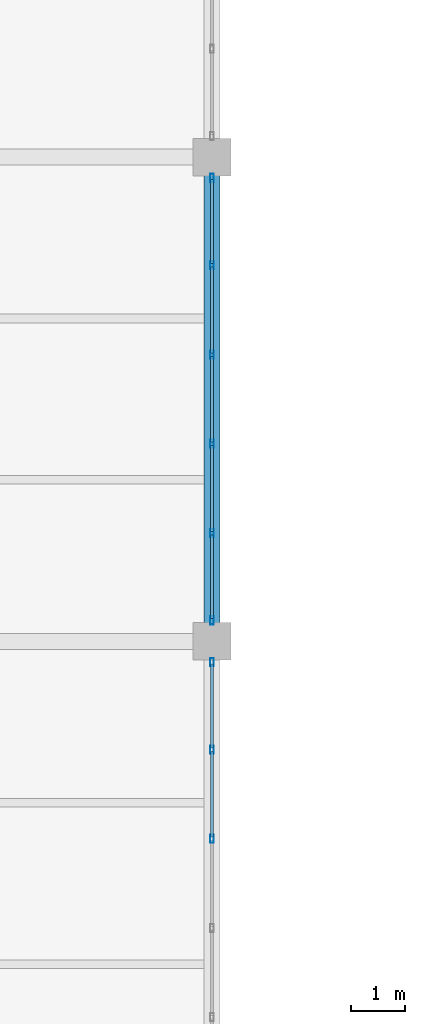
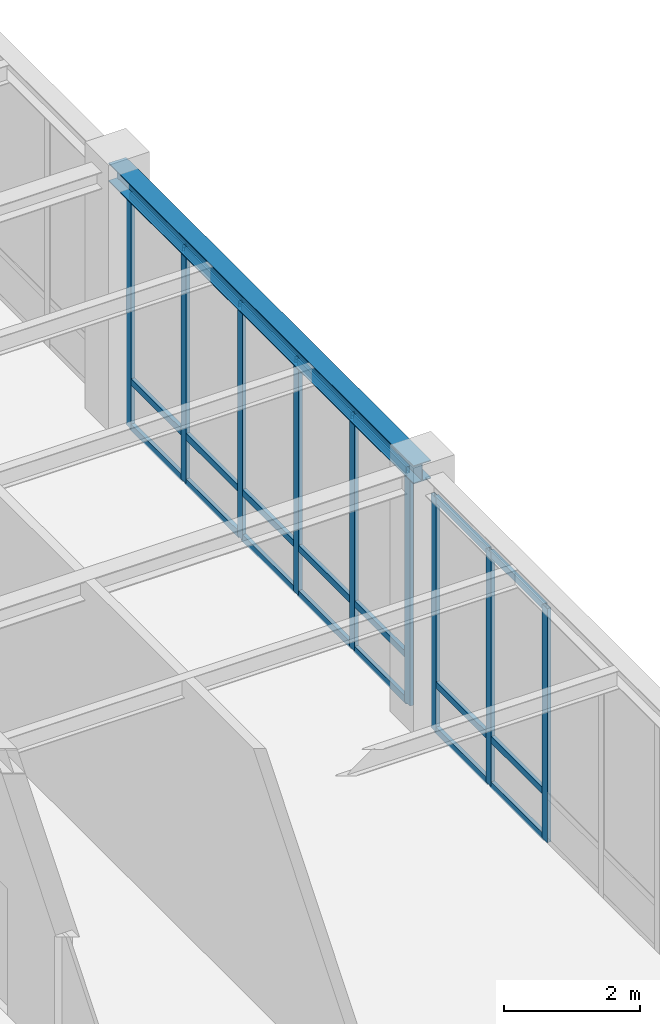
# One storey, part 23 of 98: 30 members, 1 beam, 2 elements without a shape of their own.
"""IFC4 building model written with IfcOpenShell, lengths in metres."""

from ifc_helpers import new_model, si_unit, direction, frame, origin, origin_2d, place, context, subcontext, project, spatial, hollow_rectangle, i_section, extrude, material, material_profile, profile_set, type_object, element, aggregate, save


model = new_model("IFC4")

# Units and contexts
model_context = context("Model", 3, precision=1e-05, world=origin(), true_north=direction((0.0, 1.0)))
body_context = subcontext(model_context, "Body", "Model", "MODEL_VIEW")
ifc_project = project(units=[si_unit("LENGTHUNIT", "METRE"), si_unit("AREAUNIT", "SQUARE_METRE"), si_unit("VOLUMEUNIT", "CUBIC_METRE"), si_unit("PLANEANGLEUNIT", "RADIAN"), si_unit("MASSUNIT", "GRAM", prefix="KILO")], contexts=[model_context])

# Site, building, storey
site_placement = place(None, origin())
site = spatial("IfcSite", under=ifc_project, at=site_placement, CompositionType="ELEMENT")
building_placement = place(site_placement, origin())
building = spatial("IfcBuilding", under=site, at=building_placement, Name="Lykobir Media Centre", CompositionType="ELEMENT")
storey_placement = place(building_placement, frame((0.0, 0.0, 10.199951171875)))
storey = spatial("IfcBuildingStorey", under=building, at=storey_placement, Name="L02", CompositionType="ELEMENT", Elevation=10.199951171875)

# Beam
ifc_material_1 = material(Name="Steel S355", Category="steel")
ifc_material_profile_1 = material_profile(ifc_material_1, i_section(OverallWidth=0.300048828125, OverallDepth=0.330078125, WebThickness=0.009521484375, FlangeThickness=0.0166015625, at=origin_2d()), Name="HEA 340")
ifc_profile_set_1 = profile_set([ifc_material_profile_1], Name="Steel S355")
beam_type = type_object("IfcBeamType", Name="BM-HEA340", PredefinedType="BEAM", material=ifc_profile_set_1)
beam_placement = place(storey_placement, frame((36.0, 36.0, 4.39501953125), z_axis=(0.0, 1.0, 0.0), x_axis=(-1.0, 0.0, 0.0)))
element("IfcBeam", 1, at=beam_placement, inside=storey, type_object=beam_type, Name="Beam BM-L02-0360-0360-0360-0450-1460", PredefinedType="BEAM", context=body_context, shape_type="SweptSolid", body=[
    extrude(i_section(OverallWidth=0.300048828125, OverallDepth=0.330078125, WebThickness=0.009521484375, FlangeThickness=0.0166015625, at=origin_2d()), origin(), (0.0, 0.0, 1.0), 9.0),
])

# Curtain wall, members
ifc_material_2 = material(Name="Anodized Aluminium AW-6060", Category="aluminium")
curtain_wall_type = type_object("IfcCurtainWallType", Name="CW-COURT-A", PredefinedType="NOTDEFINED", material=ifc_material_2)
curtain_wall_1_placement = place(storey_placement, origin())
curtain_wall_1 = element("IfcCurtainWall", 2, at=curtain_wall_1_placement, inside=storey, type_object=curtain_wall_type, Name="Curtain wall CW2-L02-0078", PredefinedType="NOTDEFINED")
ifc_material_profile_2 = material_profile(ifc_material_2, hollow_rectangle(XDim=0.06494140625, YDim=0.14990234375, WallThickness=0.00341796875, at=origin_2d()), Name="ALU MULLION 65x150")
ifc_profile_set_2 = profile_set([ifc_material_profile_2], Name="Anodized Aluminium AW-6060")
member_type_1 = type_object("IfcMemberType", Name="CWM-150", PredefinedType="MULLION", material=ifc_profile_set_2)
member_1_placement = place(storey_placement, frame((36.0, 35.612548828125, 0.0), z_axis=(0.0, 0.0, 1.0), x_axis=(1.0, 0.0, 0.0)))
member_1 = element("IfcMember", 3, at=member_1_placement, type_object=member_type_1, Name="CW2-L02-0078 mullion 1", PredefinedType="MULLION", context=body_context, shape_type="SweptSolid", body=[
    extrude(hollow_rectangle(XDim=0.06494140625, YDim=0.14990234375, WallThickness=0.00341796875, at=origin_2d()), origin(), (0.0, 0.0, 1.0), 4.215087890625),
])
member_2_placement = place(storey_placement, frame((36.0, 33.987060546875, 0.0), z_axis=(0.0, 0.0, 1.0), x_axis=(1.0, 0.0, 0.0)))
member_2 = element("IfcMember", 4, at=member_2_placement, type_object=member_type_1, Name="CW2-L02-0078 mullion 2", PredefinedType="MULLION", context=body_context, shape_type="SweptSolid", body=[
    extrude(hollow_rectangle(XDim=0.06494140625, YDim=0.14990234375, WallThickness=0.00341796875, at=origin_2d()), origin(), (0.0, 0.0, 1.0), 4.215087890625),
])
member_3_placement = place(storey_placement, frame((36.0, 32.3291015625, 0.0), z_axis=(0.0, 0.0, 1.0), x_axis=(1.0, 0.0, 0.0)))
member_3 = element("IfcMember", 5, at=member_3_placement, type_object=member_type_1, Name="CW2-L02-0078 mullion 3", PredefinedType="MULLION", context=body_context, shape_type="SweptSolid", body=[
    extrude(hollow_rectangle(XDim=0.06494140625, YDim=0.14990234375, WallThickness=0.00341796875, at=origin_2d()), origin(), (0.0, 0.0, 1.0), 4.215087890625),
])

curtain_wall_2_placement = place(storey_placement, origin())
curtain_wall_2 = element("IfcCurtainWall", 6, at=curtain_wall_2_placement, inside=storey, type_object=curtain_wall_type, Name="Curtain wall CW2-L02-0079", PredefinedType="NOTDEFINED")
member_4_placement = place(storey_placement, frame((36.0, 44.612548828125, 0.0), z_axis=(0.0, 0.0, 1.0), x_axis=(1.0, 0.0, 0.0)))
member_4 = element("IfcMember", 7, at=member_4_placement, type_object=member_type_1, Name="CW2-L02-0079 mullion 1", PredefinedType="MULLION", context=body_context, shape_type="SweptSolid", body=[
    extrude(hollow_rectangle(XDim=0.06494140625, YDim=0.14990234375, WallThickness=0.00341796875, at=origin_2d()), origin(), (0.0, 0.0, 1.0), 4.215087890625),
])
member_5_placement = place(storey_placement, frame((36.0, 42.987060546875, 0.0), z_axis=(0.0, 0.0, 1.0), x_axis=(1.0, 0.0, 0.0)))
member_5 = element("IfcMember", 8, at=member_5_placement, type_object=member_type_1, Name="CW2-L02-0079 mullion 2", PredefinedType="MULLION", context=body_context, shape_type="SweptSolid", body=[
    extrude(hollow_rectangle(XDim=0.06494140625, YDim=0.14990234375, WallThickness=0.00341796875, at=origin_2d()), origin(), (0.0, 0.0, 1.0), 4.215087890625),
])
member_6_placement = place(storey_placement, frame((36.0, 41.3291015625, 0.0), z_axis=(0.0, 0.0, 1.0), x_axis=(1.0, 0.0, 0.0)))
member_6 = element("IfcMember", 9, at=member_6_placement, type_object=member_type_1, Name="CW2-L02-0079 mullion 3", PredefinedType="MULLION", context=body_context, shape_type="SweptSolid", body=[
    extrude(hollow_rectangle(XDim=0.06494140625, YDim=0.14990234375, WallThickness=0.00341796875, at=origin_2d()), origin(), (0.0, 0.0, 1.0), 4.215087890625),
])
member_7_placement = place(storey_placement, frame((36.0, 39.6708984375, 0.0), z_axis=(0.0, 0.0, 1.0), x_axis=(1.0, 0.0, 0.0)))
member_7 = element("IfcMember", 10, at=member_7_placement, type_object=member_type_1, Name="CW2-L02-0079 mullion 4", PredefinedType="MULLION", context=body_context, shape_type="SweptSolid", body=[
    extrude(hollow_rectangle(XDim=0.06494140625, YDim=0.14990234375, WallThickness=0.00341796875, at=origin_2d()), origin(), (0.0, 0.0, 1.0), 4.215087890625),
])
member_8_placement = place(storey_placement, frame((36.0, 38.012939453125, 0.0), z_axis=(0.0, 0.0, 1.0), x_axis=(1.0, 0.0, 0.0)))
member_8 = element("IfcMember", 11, at=member_8_placement, type_object=member_type_1, Name="CW2-L02-0079 mullion 5", PredefinedType="MULLION", context=body_context, shape_type="SweptSolid", body=[
    extrude(hollow_rectangle(XDim=0.06494140625, YDim=0.14990234375, WallThickness=0.00341796875, at=origin_2d()), origin(), (0.0, 0.0, 1.0), 4.215087890625),
])
member_9_placement = place(storey_placement, frame((36.0, 36.387451171875, 0.0), z_axis=(0.0, 0.0, 1.0), x_axis=(1.0, 0.0, 0.0)))
member_9 = element("IfcMember", 12, at=member_9_placement, type_object=member_type_1, Name="CW2-L02-0079 mullion 6", PredefinedType="MULLION", context=body_context, shape_type="SweptSolid", body=[
    extrude(hollow_rectangle(XDim=0.06494140625, YDim=0.14990234375, WallThickness=0.00341796875, at=origin_2d()), origin(), (0.0, 0.0, 1.0), 4.215087890625),
])

# Member
ifc_material_profile_3 = material_profile(ifc_material_2, hollow_rectangle(XDim=0.06494140625, YDim=0.1201171875, WallThickness=0.0029296875, at=origin_2d()), Name="ALU TRANSOM 65x120")
ifc_profile_set_3 = profile_set([ifc_material_profile_3], Name="Anodized Aluminium AW-6060")
member_type_2 = type_object("IfcMemberType", Name="CWT-120", PredefinedType="USERDEFINED", material=ifc_profile_set_3)
member_10_placement = place(storey_placement, frame((36.0, 35.580078125, 0.032470703125), z_axis=(0.0, -1.0, 0.0), x_axis=(1.0, 0.0, 0.0)))
member_10 = element("IfcMember", 13, at=member_10_placement, type_object=member_type_2, Name="CW2-L02-0078 transom 1.1", ObjectType="TRANSOM", PredefinedType="USERDEFINED", context=body_context, shape_type="SweptSolid", body=[
    extrude(hollow_rectangle(XDim=0.06494140625, YDim=0.1201171875, WallThickness=0.0029296875, at=origin_2d()), origin(), (0.0, 0.0, 1.0), 1.560546875),
])

member_11_placement = place(storey_placement, frame((36.0, 35.580078125, 0.85009765625), z_axis=(0.0, -1.0, 0.0), x_axis=(1.0, 0.0, 0.0)))
member_11 = element("IfcMember", 14, at=member_11_placement, type_object=member_type_2, Name="CW2-L02-0078 transom 1.2", ObjectType="TRANSOM", PredefinedType="USERDEFINED", context=body_context, shape_type="SweptSolid", body=[
    extrude(hollow_rectangle(XDim=0.06494140625, YDim=0.1201171875, WallThickness=0.0029296875, at=origin_2d()), origin(), (0.0, 0.0, 1.0), 1.560546875),
])

member_12_placement = place(storey_placement, frame((36.0, 35.580078125, 4.1826171875), z_axis=(0.0, -1.0, 0.0), x_axis=(1.0, 0.0, 0.0)))
member_12 = element("IfcMember", 15, at=member_12_placement, type_object=member_type_2, Name="CW2-L02-0078 transom 1.3", ObjectType="TRANSOM", PredefinedType="USERDEFINED", context=body_context, shape_type="SweptSolid", body=[
    extrude(hollow_rectangle(XDim=0.06494140625, YDim=0.1201171875, WallThickness=0.0029296875, at=origin_2d()), origin(), (0.0, 0.0, 1.0), 1.560546875),
])

member_13_placement = place(storey_placement, frame((36.0, 33.95458984375, 0.032470703125), z_axis=(0.0, -1.0, 0.0), x_axis=(1.0, 0.0, 0.0)))
member_13 = element("IfcMember", 16, at=member_13_placement, type_object=member_type_2, Name="CW2-L02-0078 transom 2.1", ObjectType="TRANSOM", PredefinedType="USERDEFINED", context=body_context, shape_type="SweptSolid", body=[
    extrude(hollow_rectangle(XDim=0.06494140625, YDim=0.1201171875, WallThickness=0.0029296875, at=origin_2d()), origin(), (0.0, 0.0, 1.0), 1.593017578125),
])

member_14_placement = place(storey_placement, frame((36.0, 33.95458984375, 0.85009765625), z_axis=(0.0, -1.0, 0.0), x_axis=(1.0, 0.0, 0.0)))
member_14 = element("IfcMember", 17, at=member_14_placement, type_object=member_type_2, Name="CW2-L02-0078 transom 2.2", ObjectType="TRANSOM", PredefinedType="USERDEFINED", context=body_context, shape_type="SweptSolid", body=[
    extrude(hollow_rectangle(XDim=0.06494140625, YDim=0.1201171875, WallThickness=0.0029296875, at=origin_2d()), origin(), (0.0, 0.0, 1.0), 1.593017578125),
])

member_15_placement = place(storey_placement, frame((36.0, 33.95458984375, 4.1826171875), z_axis=(0.0, -1.0, 0.0), x_axis=(1.0, 0.0, 0.0)))
member_15 = element("IfcMember", 18, at=member_15_placement, type_object=member_type_2, Name="CW2-L02-0078 transom 2.3", ObjectType="TRANSOM", PredefinedType="USERDEFINED", context=body_context, shape_type="SweptSolid", body=[
    extrude(hollow_rectangle(XDim=0.06494140625, YDim=0.1201171875, WallThickness=0.0029296875, at=origin_2d()), origin(), (0.0, 0.0, 1.0), 1.593017578125),
])

aggregate(curtain_wall_1, [member_1, member_2, member_3, member_10, member_11, member_12, member_13, member_14, member_15])

member_16_placement = place(storey_placement, frame((36.0, 44.580078125, 0.032470703125), z_axis=(0.0, -1.0, 0.0), x_axis=(1.0, 0.0, 0.0)))
member_16 = element("IfcMember", 19, at=member_16_placement, type_object=member_type_2, Name="CW2-L02-0079 transom 1.1", ObjectType="TRANSOM", PredefinedType="USERDEFINED", context=body_context, shape_type="SweptSolid", body=[
    extrude(hollow_rectangle(XDim=0.06494140625, YDim=0.1201171875, WallThickness=0.0029296875, at=origin_2d()), origin(), (0.0, 0.0, 1.0), 1.560546875),
])

member_17_placement = place(storey_placement, frame((36.0, 44.580078125, 0.85009765625), z_axis=(0.0, -1.0, 0.0), x_axis=(1.0, 0.0, 0.0)))
member_17 = element("IfcMember", 20, at=member_17_placement, type_object=member_type_2, Name="CW2-L02-0079 transom 1.2", ObjectType="TRANSOM", PredefinedType="USERDEFINED", context=body_context, shape_type="SweptSolid", body=[
    extrude(hollow_rectangle(XDim=0.06494140625, YDim=0.1201171875, WallThickness=0.0029296875, at=origin_2d()), origin(), (0.0, 0.0, 1.0), 1.560546875),
])

member_18_placement = place(storey_placement, frame((36.0, 44.580078125, 4.1826171875), z_axis=(0.0, -1.0, 0.0), x_axis=(1.0, 0.0, 0.0)))
member_18 = element("IfcMember", 21, at=member_18_placement, type_object=member_type_2, Name="CW2-L02-0079 transom 1.3", ObjectType="TRANSOM", PredefinedType="USERDEFINED", context=body_context, shape_type="SweptSolid", body=[
    extrude(hollow_rectangle(XDim=0.06494140625, YDim=0.1201171875, WallThickness=0.0029296875, at=origin_2d()), origin(), (0.0, 0.0, 1.0), 1.560546875),
])

member_19_placement = place(storey_placement, frame((36.0, 42.95458984375, 0.032470703125), z_axis=(0.0, -1.0, 0.0), x_axis=(1.0, 0.0, 0.0)))
member_19 = element("IfcMember", 22, at=member_19_placement, type_object=member_type_2, Name="CW2-L02-0079 transom 2.1", ObjectType="TRANSOM", PredefinedType="USERDEFINED", context=body_context, shape_type="SweptSolid", body=[
    extrude(hollow_rectangle(XDim=0.06494140625, YDim=0.1201171875, WallThickness=0.0029296875, at=origin_2d()), origin(), (0.0, 0.0, 1.0), 1.593017578125),
])

member_20_placement = place(storey_placement, frame((36.0, 42.95458984375, 0.85009765625), z_axis=(0.0, -1.0, 0.0), x_axis=(1.0, 0.0, 0.0)))
member_20 = element("IfcMember", 23, at=member_20_placement, type_object=member_type_2, Name="CW2-L02-0079 transom 2.2", ObjectType="TRANSOM", PredefinedType="USERDEFINED", context=body_context, shape_type="SweptSolid", body=[
    extrude(hollow_rectangle(XDim=0.06494140625, YDim=0.1201171875, WallThickness=0.0029296875, at=origin_2d()), origin(), (0.0, 0.0, 1.0), 1.593017578125),
])

member_21_placement = place(storey_placement, frame((36.0, 42.95458984375, 4.1826171875), z_axis=(0.0, -1.0, 0.0), x_axis=(1.0, 0.0, 0.0)))
member_21 = element("IfcMember", 24, at=member_21_placement, type_object=member_type_2, Name="CW2-L02-0079 transom 2.3", ObjectType="TRANSOM", PredefinedType="USERDEFINED", context=body_context, shape_type="SweptSolid", body=[
    extrude(hollow_rectangle(XDim=0.06494140625, YDim=0.1201171875, WallThickness=0.0029296875, at=origin_2d()), origin(), (0.0, 0.0, 1.0), 1.593017578125),
])

member_22_placement = place(storey_placement, frame((36.0, 41.29638671875, 0.032470703125), z_axis=(0.0, -1.0, 0.0), x_axis=(1.0, 0.0, 0.0)))
member_22 = element("IfcMember", 25, at=member_22_placement, type_object=member_type_2, Name="CW2-L02-0079 transom 3.1", ObjectType="TRANSOM", PredefinedType="USERDEFINED", context=body_context, shape_type="SweptSolid", body=[
    extrude(hollow_rectangle(XDim=0.06494140625, YDim=0.1201171875, WallThickness=0.0029296875, at=origin_2d()), origin(), (0.0, 0.0, 1.0), 1.5927734375),
])

member_23_placement = place(storey_placement, frame((36.0, 41.29638671875, 0.85009765625), z_axis=(0.0, -1.0, 0.0), x_axis=(1.0, 0.0, 0.0)))
member_23 = element("IfcMember", 26, at=member_23_placement, type_object=member_type_2, Name="CW2-L02-0079 transom 3.2", ObjectType="TRANSOM", PredefinedType="USERDEFINED", context=body_context, shape_type="SweptSolid", body=[
    extrude(hollow_rectangle(XDim=0.06494140625, YDim=0.1201171875, WallThickness=0.0029296875, at=origin_2d()), origin(), (0.0, 0.0, 1.0), 1.5927734375),
])

member_24_placement = place(storey_placement, frame((36.0, 41.29638671875, 4.1826171875), z_axis=(0.0, -1.0, 0.0), x_axis=(1.0, 0.0, 0.0)))
member_24 = element("IfcMember", 27, at=member_24_placement, type_object=member_type_2, Name="CW2-L02-0079 transom 3.3", ObjectType="TRANSOM", PredefinedType="USERDEFINED", context=body_context, shape_type="SweptSolid", body=[
    extrude(hollow_rectangle(XDim=0.06494140625, YDim=0.1201171875, WallThickness=0.0029296875, at=origin_2d()), origin(), (0.0, 0.0, 1.0), 1.5927734375),
])

member_25_placement = place(storey_placement, frame((36.0, 39.638427734375, 0.032470703125), z_axis=(0.0, -1.0, 0.0), x_axis=(1.0, 0.0, 0.0)))
member_25 = element("IfcMember", 28, at=member_25_placement, type_object=member_type_2, Name="CW2-L02-0079 transom 4.1", ObjectType="TRANSOM", PredefinedType="USERDEFINED", context=body_context, shape_type="SweptSolid", body=[
    extrude(hollow_rectangle(XDim=0.06494140625, YDim=0.1201171875, WallThickness=0.0029296875, at=origin_2d()), origin(), (0.0, 0.0, 1.0), 1.593017578125),
])

member_26_placement = place(storey_placement, frame((36.0, 39.638427734375, 0.85009765625), z_axis=(0.0, -1.0, 0.0), x_axis=(1.0, 0.0, 0.0)))
member_26 = element("IfcMember", 29, at=member_26_placement, type_object=member_type_2, Name="CW2-L02-0079 transom 4.2", ObjectType="TRANSOM", PredefinedType="USERDEFINED", context=body_context, shape_type="SweptSolid", body=[
    extrude(hollow_rectangle(XDim=0.06494140625, YDim=0.1201171875, WallThickness=0.0029296875, at=origin_2d()), origin(), (0.0, 0.0, 1.0), 1.593017578125),
])

member_27_placement = place(storey_placement, frame((36.0, 39.638427734375, 4.1826171875), z_axis=(0.0, -1.0, 0.0), x_axis=(1.0, 0.0, 0.0)))
member_27 = element("IfcMember", 30, at=member_27_placement, type_object=member_type_2, Name="CW2-L02-0079 transom 4.3", ObjectType="TRANSOM", PredefinedType="USERDEFINED", context=body_context, shape_type="SweptSolid", body=[
    extrude(hollow_rectangle(XDim=0.06494140625, YDim=0.1201171875, WallThickness=0.0029296875, at=origin_2d()), origin(), (0.0, 0.0, 1.0), 1.593017578125),
])

member_28_placement = place(storey_placement, frame((36.0, 37.98046875, 0.032470703125), z_axis=(0.0, -1.0, 0.0), x_axis=(1.0, 0.0, 0.0)))
member_28 = element("IfcMember", 31, at=member_28_placement, type_object=member_type_2, Name="CW2-L02-0079 transom 5.1", ObjectType="TRANSOM", PredefinedType="USERDEFINED", context=body_context, shape_type="SweptSolid", body=[
    extrude(hollow_rectangle(XDim=0.06494140625, YDim=0.1201171875, WallThickness=0.0029296875, at=origin_2d()), origin(), (0.0, 0.0, 1.0), 1.560546875),
])

member_29_placement = place(storey_placement, frame((36.0, 37.98046875, 0.85009765625), z_axis=(0.0, -1.0, 0.0), x_axis=(1.0, 0.0, 0.0)))
member_29 = element("IfcMember", 32, at=member_29_placement, type_object=member_type_2, Name="CW2-L02-0079 transom 5.2", ObjectType="TRANSOM", PredefinedType="USERDEFINED", context=body_context, shape_type="SweptSolid", body=[
    extrude(hollow_rectangle(XDim=0.06494140625, YDim=0.1201171875, WallThickness=0.0029296875, at=origin_2d()), origin(), (0.0, 0.0, 1.0), 1.560546875),
])

member_30_placement = place(storey_placement, frame((36.0, 37.98046875, 4.1826171875), z_axis=(0.0, -1.0, 0.0), x_axis=(1.0, 0.0, 0.0)))
member_30 = element("IfcMember", 33, at=member_30_placement, type_object=member_type_2, Name="CW2-L02-0079 transom 5.3", ObjectType="TRANSOM", PredefinedType="USERDEFINED", context=body_context, shape_type="SweptSolid", body=[
    extrude(hollow_rectangle(XDim=0.06494140625, YDim=0.1201171875, WallThickness=0.0029296875, at=origin_2d()), origin(), (0.0, 0.0, 1.0), 1.560546875),
])

aggregate(curtain_wall_2, [member_4, member_5, member_6, member_7, member_8, member_9, member_16, member_17, member_18, member_19, member_20, member_21, member_22, member_23, member_24, member_25, member_26, member_27, member_28, member_29, member_30])

save(model, "model.ifc")
